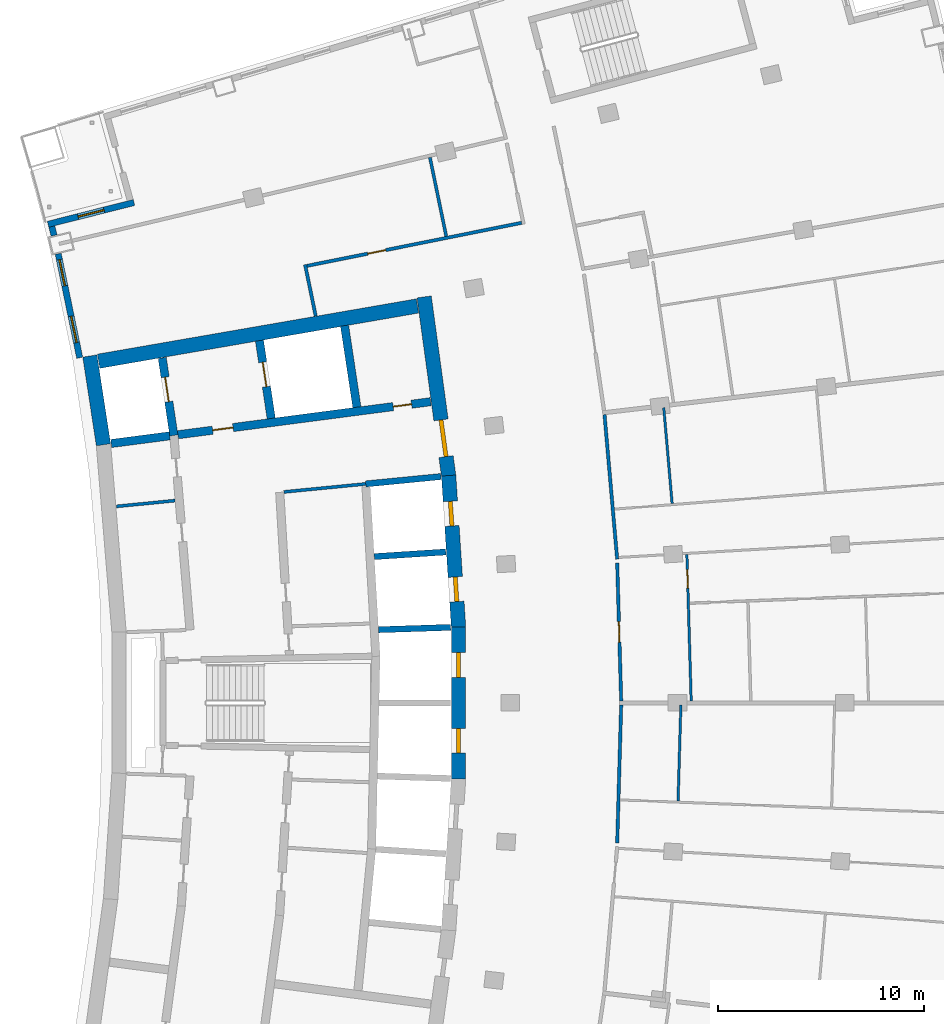
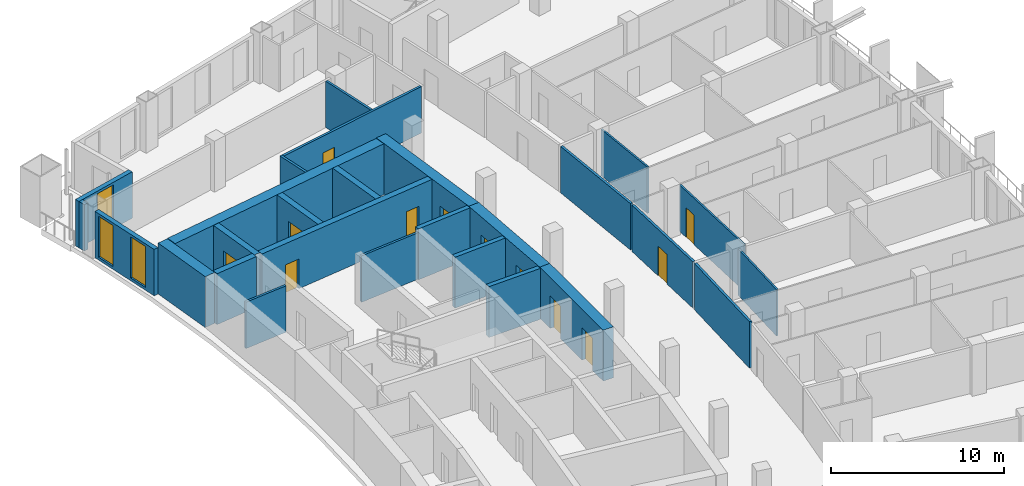
# One storey, part 14 of 20: 27 walls, 12 doors, 3 windows, 15 openings.
"""IFC4 building model written with IfcOpenShell, lengths in metres."""

from ifc_helpers import new_model, si_unit, direction, frame, frame_2d, origin, place, context, subcontext, project, spatial, rectangle, extrude, material, layer, layer_set, type_object, element, fill, save


model = new_model("IFC4")

# Units and contexts
model_context = context("Model", 3, precision=1e-05, world=origin(), true_north=direction((0.0, 1.0)))
body_context = subcontext(model_context, "Body", "Model", "MODEL_VIEW")
ifc_project = project(units=[si_unit("LENGTHUNIT", "METRE"), si_unit("AREAUNIT", "SQUARE_METRE"), si_unit("VOLUMEUNIT", "CUBIC_METRE"), si_unit("PLANEANGLEUNIT", "RADIAN"), si_unit("MASSUNIT", "GRAM", prefix="KILO")], contexts=[model_context])

# Site, building, storey
site_placement = place(None, origin())
site = spatial("IfcSite", under=ifc_project, at=site_placement, CompositionType="ELEMENT")
building_placement = place(site_placement, origin())
building = spatial("IfcBuilding", under=site, at=building_placement, Name="Alderwake Tower", CompositionType="ELEMENT")
storey_placement = place(building_placement, frame((0.0, 0.0, 142.39990234375)))
storey = spatial("IfcBuildingStorey", under=building, at=storey_placement, Name="L34", CompositionType="ELEMENT", Elevation=142.39990234375)

# Walls
ifc_material_1 = material(Name="Gypsum shaft wall system, rated")
ifc_layer_1 = layer(ifc_material_1, 0.14990234375)
ifc_layer_set_1 = layer_set([ifc_layer_1], Name="Core room partition 150")
wall_type_1 = type_object("IfcWallType", Name="Core room partition 150", PredefinedType="PARTITIONING", material=ifc_layer_set_1)
wall_1_placement = place(storey_placement, frame((24.799560546875, 71.2548828125, 0.0), z_axis=(0.0, 0.0, 1.0), x_axis=(0.995250000627, 0.097352125046, 0.0)))
element("IfcWall", 1, at=wall_1_placement, inside=storey, type_object=wall_type_1, Name="CW/L34/PR+102_+86", PredefinedType="PARTITIONING", context=body_context, shape_type="SweptSolid", body=[
    extrude(rectangle(XDim=4.0, YDim=0.14990234375, at=frame_2d((2.0, 0.0))), origin(), (0.0, 0.0, 1.0), 3.280029296875),
])
wall_2_placement = place(storey_placement, frame((16.662841796875, 70.552001953125, 0.0), z_axis=(0.0, 0.0, 1.0), x_axis=(0.995157883569, 0.098289301407, 0.0)))
element("IfcWall", 2, at=wall_2_placement, inside=storey, type_object=wall_type_1, Name="CW/L34/PR+103_+0", PredefinedType="PARTITIONING", context=body_context, shape_type="SweptSolid", body=[
    extrude(rectangle(XDim=2.866455078125, YDim=0.14990234375, at=frame_2d((1.43310546875, 0.0))), origin(), (0.0, 0.0, 1.0), 3.280029296875),
])
ifc_material_2 = material(Name="Concrete C70/85", Category="concrete")
ifc_layer_2 = layer(ifc_material_2, 0.699951171875)
ifc_layer_set_2 = layer_set([ifc_layer_2], Name="Core wall outer 700 C70-85")
wall_type_2 = type_object("IfcWallType", Name="Core wall outer 700 C70-85", PredefinedType="SHEAR", material=ifc_layer_set_2)
wall_3_placement = place(storey_placement, frame((16.033935546875, 73.547607421875, 0.0), z_axis=(0.0, 0.0, 1.0), x_axis=(-0.151897483467, 0.988396253795, 0.0)))
element("IfcWall", 3, at=wall_3_placement, inside=storey, type_object=wall_type_2, Name="Core wall CW.039", PredefinedType="SHEAR", context=body_context, shape_type="SweptSolid", body=[
    extrude(rectangle(XDim=4.365234375, YDim=0.699951171875, at=frame_2d((2.1826171875, 0.0))), origin(), (0.0, 0.0, 1.0), 3.60009765625),
])

# Wall, openings, doors
wall_4_placement = place(storey_placement, frame((33.2900390625, 57.30322265625, 0.0), z_axis=(0.0, 0.0, 1.0), x_axis=(0.0, 1.0, 0.0)))
wall_4 = element("IfcWall", 4, at=wall_4_placement, inside=storey, type_object=wall_type_2, Name="Core wall CW.013", PredefinedType="SHEAR", context=body_context, shape_type="SweptSolid", body=[
    extrude(rectangle(XDim=7.3935546875, YDim=0.699951171875, at=frame_2d((3.69677734375, 0.0))), origin(), (0.0, 0.0, 1.0), 3.60009765625),
])
opening_1_placement = place(wall_4_placement, frame((1.254150390625, 0.0, 0.0)))
opening_1 = element("IfcOpeningElement", 5, at=opening_1_placement, cuts=wall_4, Name="Opening LD-HP3", PredefinedType="OPENING", context=body_context, shape_type="SweptSolid", body=[
    extrude(rectangle(XDim=1.199951171875, YDim=2.300048828125, at=frame_2d((0.60009765625, 1.14990234375))), frame((0.0, 0.35986328125, 0.0), z_axis=(0.0, -1.0, 0.0), x_axis=(1.0, 0.0, 0.0)), (0.0, 0.0, 1.0), 0.719970703125),
])
opening_2_placement = place(wall_4_placement, frame((4.939208984375, 0.0, 0.0)))
opening_2 = element("IfcOpeningElement", 6, at=opening_2_placement, cuts=wall_4, Name="Opening LD-HP4", PredefinedType="OPENING", context=body_context, shape_type="SweptSolid", body=[
    extrude(rectangle(XDim=1.199951171875, YDim=2.300048828125, at=frame_2d((0.60009765625, 1.14990234375))), frame((0.0, 0.35986328125, 0.0), z_axis=(0.0, -1.0, 0.0), x_axis=(1.0, 0.0, 0.0)), (0.0, 0.0, 1.0), 0.719970703125),
])
ifc_material_3 = material(Name="Stainless steel sliding leaf", Category="steel")
door_type_1 = type_object("IfcDoorType", Name="Lift landing door 1200", OperationType="SLIDING_TO_LEFT", PredefinedType="DOOR", material=ifc_material_3)
door_1_placement = place(opening_1_placement, origin())
door_1 = element("IfcDoor", 7, at=door_1_placement, inside=storey, type_object=door_type_1, Name="Lift landing door HP3", OperationType="SLIDING_TO_LEFT", OverallHeight=2.300048828125, OverallWidth=1.199951171875, PredefinedType="DOOR", context=body_context, shape_type="SweptSolid", body=[
    extrude(rectangle(XDim=1.199951171875, YDim=2.300048828125, at=frame_2d((0.60009765625, 1.14990234375))), frame((0.0, 0.10009765625, 0.0), z_axis=(0.0, -1.0, 0.0), x_axis=(1.0, 0.0, 0.0)), (0.0, 0.0, 1.0), 0.199951171875),
])
fill(opening_1, door_1)
door_2_placement = place(opening_2_placement, origin())
door_2 = element("IfcDoor", 8, at=door_2_placement, inside=storey, type_object=door_type_1, Name="Lift landing door HP4", OperationType="SLIDING_TO_LEFT", OverallHeight=2.300048828125, OverallWidth=1.199951171875, PredefinedType="DOOR", context=body_context, shape_type="SweptSolid", body=[
    extrude(rectangle(XDim=1.199951171875, YDim=2.300048828125, at=frame_2d((0.60009765625, 1.14990234375))), frame((0.0, 0.10009765625, 0.0), z_axis=(0.0, -1.0, 0.0), x_axis=(1.0, 0.0, 0.0)), (0.0, 0.0, 1.0), 0.199951171875),
])
fill(opening_2, door_2)

wall_5_placement = place(storey_placement, frame((33.291015625, 64.6728515625, 0.0), z_axis=(0.0, 0.0, 1.0), x_axis=(-0.065009096017, 0.99788467141, 0.0)))
wall_5 = element("IfcWall", 9, at=wall_5_placement, inside=storey, type_object=wall_type_2, Name="Core wall CW.010", PredefinedType="SHEAR", context=body_context, shape_type="SweptSolid", body=[
    extrude(rectangle(XDim=7.39453125, YDim=0.699951171875, at=frame_2d((3.697265625, 0.0))), origin(), (0.0, 0.0, 1.0), 3.60009765625),
])
opening_3_placement = place(wall_5_placement, frame((1.25390625, 0.0, 0.0)))
opening_3 = element("IfcOpeningElement", 10, at=opening_3_placement, cuts=wall_5, Name="Opening LD-HP5", PredefinedType="OPENING", context=body_context, shape_type="SweptSolid", body=[
    extrude(rectangle(XDim=1.199951171875, YDim=2.300048828125, at=frame_2d((0.60009765625, 1.14990234375))), frame((0.0, 0.35986328125, 0.0), z_axis=(0.0, -1.0, 0.0), x_axis=(1.0, 0.0, 0.0)), (0.0, 0.0, 1.0), 0.719970703125),
])
opening_4_placement = place(wall_5_placement, frame((4.939208984375, 0.0, 0.0)))
opening_4 = element("IfcOpeningElement", 11, at=opening_4_placement, cuts=wall_5, Name="Opening LD-HP6", PredefinedType="OPENING", context=body_context, shape_type="SweptSolid", body=[
    extrude(rectangle(XDim=1.199951171875, YDim=2.300048828125, at=frame_2d((0.60009765625, 1.14990234375))), frame((0.0, 0.35986328125, 0.0), z_axis=(0.0, -1.0, 0.0), x_axis=(1.0, 0.0, 0.0)), (0.0, 0.0, 1.0), 0.719970703125),
])
door_3_placement = place(opening_3_placement, origin())
door_3 = element("IfcDoor", 12, at=door_3_placement, inside=storey, type_object=door_type_1, Name="Lift landing door HP5", OperationType="SLIDING_TO_LEFT", OverallHeight=2.300048828125, OverallWidth=1.199951171875, PredefinedType="DOOR", context=body_context, shape_type="SweptSolid", body=[
    extrude(rectangle(XDim=1.199951171875, YDim=2.300048828125, at=frame_2d((0.60009765625, 1.14990234375))), frame((0.0, 0.10009765625, 0.0), z_axis=(0.0, -1.0, 0.0), x_axis=(1.0, 0.0, 0.0)), (0.0, 0.0, 1.0), 0.199951171875),
])
fill(opening_3, door_3)
door_4_placement = place(opening_4_placement, origin())
door_4 = element("IfcDoor", 13, at=door_4_placement, inside=storey, type_object=door_type_1, Name="Lift landing door HP6", OperationType="SLIDING_TO_LEFT", OverallHeight=2.300048828125, OverallWidth=1.199951171875, PredefinedType="DOOR", context=body_context, shape_type="SweptSolid", body=[
    extrude(rectangle(XDim=1.199951171875, YDim=2.300048828125, at=frame_2d((0.60009765625, 1.14990234375))), frame((0.0, 0.10009765625, 0.0), z_axis=(0.0, -1.0, 0.0), x_axis=(1.0, 0.0, 0.0)), (0.0, 0.0, 1.0), 0.199951171875),
])
fill(opening_4, door_4)

# Wall, opening, door
wall_6_placement = place(storey_placement, frame((31.618896484375, 80.735107421875, 0.0), z_axis=(0.0, 0.0, 1.0), x_axis=(0.135835706655, -0.99073137671, 0.0)))
wall_6 = element("IfcWall", 14, at=wall_6_placement, inside=storey, type_object=wall_type_2, Name="Core wall CW.009", PredefinedType="SHEAR", context=body_context, shape_type="SweptSolid", body=[
    extrude(rectangle(XDim=8.790771484375, YDim=0.699951171875, at=frame_2d((4.3955078125, 0.0))), origin(), (0.0, 0.0, 1.0), 3.60009765625),
])
opening_5_placement = place(wall_6_placement, frame((6.035888671875, 0.0, 0.0)))
opening_5 = element("IfcOpeningElement", 15, at=opening_5_placement, cuts=wall_6, Name="Opening C001", PredefinedType="OPENING", context=body_context, shape_type="SweptSolid", body=[
    extrude(rectangle(XDim=1.800048828125, YDim=2.10009765625, at=frame_2d((0.89990234375, 1.050048828125))), frame((0.0, 0.35986328125, 0.0), z_axis=(0.0, -1.0, 0.0), x_axis=(1.0, 0.0, 0.0)), (0.0, 0.0, 1.0), 0.719970703125),
])
ifc_material_4 = material(Name="Steel-framed fire door leaves", Category="steel")
door_type_2 = type_object("IfcDoorType", Name="Core double door 1800 fire-rated", OperationType="DOUBLE_DOOR_SINGLE_SWING", PredefinedType="DOOR", material=ifc_material_4)
door_5_placement = place(opening_5_placement, origin())
door_5 = element("IfcDoor", 16, at=door_5_placement, inside=storey, type_object=door_type_2, Name="Lobby double door", OperationType="DOUBLE_DOOR_SINGLE_SWING", OverallHeight=2.10009765625, OverallWidth=1.800048828125, PredefinedType="DOOR", context=body_context, shape_type="SweptSolid", body=[
    extrude(rectangle(XDim=1.800048828125, YDim=2.10009765625, at=frame_2d((0.89990234375, 1.050048828125))), frame((0.0, 0.10009765625, 0.0), z_axis=(0.0, -1.0, 0.0), x_axis=(1.0, 0.0, 0.0)), (0.0, 0.0, 1.0), 0.199951171875),
])
fill(opening_5, door_5)

# Walls
wall_7_placement = place(storey_placement, frame((15.79443359375, 77.606689453125, 0.0), z_axis=(0.0, 0.0, 1.0), x_axis=(0.985301369349, 0.170825090542, 0.0)))
element("IfcWall", 17, at=wall_7_placement, inside=storey, type_object=wall_type_2, Name="Core wall CW.055", PredefinedType="SHEAR", context=body_context, shape_type="SweptSolid", body=[
    extrude(rectangle(XDim=15.732421875, YDim=0.699951171875, at=frame_2d((7.8662109375, 0.0))), origin(), (0.0, 0.0, 1.0), 3.60009765625),
])
ifc_material_5 = material(Name="Concrete C70/85", Category="concrete")
ifc_layer_3 = layer(ifc_material_5, 0.300048828125)
ifc_layer_set_3 = layer_set([ifc_layer_3], Name="Core wall shaft 300 C70-85")
wall_type_3 = type_object("IfcWallType", Name="Core wall shaft 300 C70-85", PredefinedType="SHEAR", material=ifc_layer_set_3)
wall_8_placement = place(storey_placement, frame((29.401611328125, 64.558349609375, 0.0), z_axis=(0.0, 0.0, 1.0), x_axis=(0.999472422829, 0.032478854739, 0.0)))
element("IfcWall", 18, at=wall_8_placement, inside=storey, type_object=wall_type_3, Name="Core wall CW.058", PredefinedType="SHEAR", context=body_context, shape_type="SweptSolid", body=[
    extrude(rectangle(XDim=3.510498046875, YDim=0.300048828125, at=frame_2d((1.75537109375, 0.0))), origin(), (0.0, 0.0, 1.0), 3.60009765625),
])
wall_9_placement = place(storey_placement, frame((29.193603515625, 68.110595703125, 0.0), z_axis=(0.0, 0.0, 1.0), x_axis=(0.997884751549, 0.065007865878, 0.0)))
element("IfcWall", 19, at=wall_9_placement, inside=storey, type_object=wall_type_3, Name="Core wall CW.061", PredefinedType="SHEAR", context=body_context, shape_type="SweptSolid", body=[
    extrude(rectangle(XDim=3.485107421875, YDim=0.300048828125, at=frame_2d((1.74267578125, 0.0))), origin(), (0.0, 0.0, 1.0), 3.60009765625),
])
wall_10_placement = place(storey_placement, frame((28.780517578125, 71.644287109375, 0.0), z_axis=(0.0, 0.0, 1.0), x_axis=(0.995245736737, 0.097395705788, 0.0)))
element("IfcWall", 20, at=wall_10_placement, inside=storey, type_object=wall_type_3, Name="Core wall CW.049", PredefinedType="SHEAR", context=body_context, shape_type="SweptSolid", body=[
    extrude(rectangle(XDim=3.669677734375, YDim=0.300048828125, at=frame_2d((1.8349609375, 0.0))), origin(), (0.0, 0.0, 1.0), 3.60009765625),
])

# Wall, opening, door
ifc_material_6 = material(Name="Concrete C70/85", Category="concrete")
ifc_layer_4 = layer(ifc_material_6, 0.39990234375)
ifc_layer_set_4 = layer_set([ifc_layer_4], Name="Core wall spine 400 C70-85")
wall_type_4 = type_object("IfcWallType", Name="Core wall spine 400 C70-85", PredefinedType="SHEAR", material=ifc_layer_set_4)
wall_11_placement = place(storey_placement, frame((19.4541015625, 74.000732421875, 0.0), z_axis=(0.0, 0.0, 1.0), x_axis=(-0.148540738889, 0.988906289236, 0.0)))
wall_11 = element("IfcWall", 21, at=wall_11_placement, inside=storey, type_object=wall_type_4, Name="Core wall CW.030", PredefinedType="SHEAR", context=body_context, shape_type="SweptSolid", body=[
    extrude(rectangle(XDim=3.814697265625, YDim=0.39990234375, at=frame_2d((1.9072265625, 0.0))), origin(), (0.0, 0.0, 1.0), 3.60009765625),
])
opening_6_placement = place(wall_11_placement, frame((1.660888671875, 0.0, 0.0)))
opening_6 = element("IfcOpeningElement", 22, at=opening_6_placement, cuts=wall_11, Name="Opening LD-FF1", PredefinedType="OPENING", context=body_context, shape_type="SweptSolid", body=[
    extrude(rectangle(XDim=1.199951171875, YDim=2.300048828125, at=frame_2d((0.60009765625, 1.14990234375))), frame((0.0, 0.2099609375, 0.0), z_axis=(0.0, -1.0, 0.0), x_axis=(1.0, 0.0, 0.0)), (0.0, 0.0, 1.0), 0.419921875),
])
door_6_placement = place(opening_6_placement, origin())
door_6 = element("IfcDoor", 23, at=door_6_placement, inside=storey, type_object=door_type_1, Name="Lift landing door FF1", OperationType="SLIDING_TO_LEFT", OverallHeight=2.300048828125, OverallWidth=1.199951171875, PredefinedType="DOOR", context=body_context, shape_type="SweptSolid", body=[
    extrude(rectangle(XDim=1.199951171875, YDim=2.300048828125, at=frame_2d((0.60009765625, 1.14990234375))), frame((0.0, 0.02490234375, 0.0), z_axis=(0.0, -1.0, 0.0), x_axis=(1.0, 0.0, 0.0)), (0.0, 0.0, 1.0), 0.050048828125),
])
fill(opening_6, door_6)

wall_12_placement = place(storey_placement, frame((24.186279296875, 74.82861328125, 0.0), z_axis=(0.0, 0.0, 1.0), x_axis=(-0.149604879253, 0.988745862243, 0.0)))
wall_12 = element("IfcWall", 24, at=wall_12_placement, inside=storey, type_object=wall_type_4, Name="Core wall CW.044", PredefinedType="SHEAR", context=body_context, shape_type="SweptSolid", body=[
    extrude(rectangle(XDim=3.823486328125, YDim=0.39990234375, at=frame_2d((1.91162109375, 0.0))), origin(), (0.0, 0.0, 1.0), 3.60009765625),
])
opening_7_placement = place(wall_12_placement, frame((1.561767578125, 0.0, 0.0)))
opening_7 = element("IfcOpeningElement", 25, at=opening_7_placement, cuts=wall_12, Name="Opening LD-FF2", PredefinedType="OPENING", context=body_context, shape_type="SweptSolid", body=[
    extrude(rectangle(XDim=1.199951171875, YDim=2.300048828125, at=frame_2d((0.60009765625, 1.14990234375))), frame((0.0, 0.2099609375, 0.0), z_axis=(0.0, -1.0, 0.0), x_axis=(1.0, 0.0, 0.0)), (0.0, 0.0, 1.0), 0.419921875),
])
door_7_placement = place(opening_7_placement, origin())
door_7 = element("IfcDoor", 26, at=door_7_placement, inside=storey, type_object=door_type_1, Name="Lift landing door FF2", OperationType="SLIDING_TO_LEFT", OverallHeight=2.300048828125, OverallWidth=1.199951171875, PredefinedType="DOOR", context=body_context, shape_type="SweptSolid", body=[
    extrude(rectangle(XDim=1.199951171875, YDim=2.300048828125, at=frame_2d((0.60009765625, 1.14990234375))), frame((0.0, 0.02490234375, 0.0), z_axis=(0.0, -1.0, 0.0), x_axis=(1.0, 0.0, 0.0)), (0.0, 0.0, 1.0), 0.050048828125),
])
fill(opening_7, door_7)

# Walls
wall_13_placement = place(storey_placement, frame((28.350830078125, 75.373291015625, 0.0), z_axis=(0.0, 0.0, 1.0), x_axis=(-0.149688214264, 0.988733249421, 0.0)))
element("IfcWall", 27, at=wall_13_placement, inside=storey, type_object=wall_type_4, Name="Core wall CW.001", PredefinedType="SHEAR", context=body_context, shape_type="SweptSolid", body=[
    extrude(rectangle(XDim=4.01220703125, YDim=0.39990234375, at=frame_2d((2.006103515625, 0.0))), origin(), (0.0, 0.0, 1.0), 3.60009765625),
])
wall_14_placement = place(storey_placement, frame((16.4091796875, 73.609619140625, 0.0), z_axis=(0.0, 0.0, 1.0), x_axis=(0.991557657486, 0.129666541102, 0.0)))
element("IfcWall", 28, at=wall_14_placement, inside=storey, type_object=wall_type_4, Name="Core wall CW.051", PredefinedType="SHEAR", context=body_context, shape_type="SweptSolid", body=[
    extrude(rectangle(XDim=2.869384765625, YDim=0.39990234375, at=frame_2d((1.4345703125, 0.0))), origin(), (0.0, 0.0, 1.0), 3.60009765625),
])

# Wall, openings, doors
wall_15_placement = place(storey_placement, frame((31.933837890625, 75.64013671875, 0.0), z_axis=(0.0, 0.0, 1.0), x_axis=(-0.991554628634, -0.129689700573, 0.0)))
wall_15 = element("IfcWall", 29, at=wall_15_placement, inside=storey, type_object=wall_type_4, Name="Core wall CW.052", PredefinedType="SHEAR", context=body_context, shape_type="SweptSolid", body=[
    extrude(rectangle(XDim=12.38671875, YDim=0.39990234375, at=frame_2d((6.193359375, 0.0))), origin(), (0.0, 0.0, 1.0), 3.60009765625),
])
opening_8_placement = place(wall_15_placement, frame((9.687255859375, 0.0, 0.0)))
opening_8 = element("IfcOpeningElement", 30, at=opening_8_placement, cuts=wall_15, Name="Opening C002", PredefinedType="OPENING", context=body_context, shape_type="SweptSolid", body=[
    extrude(rectangle(XDim=1.0, YDim=2.10009765625, at=frame_2d((0.5, 1.050048828125))), frame((0.0, 0.2099609375, 0.0), z_axis=(0.0, -1.0, 0.0), x_axis=(1.0, 0.0, 0.0)), (0.0, 0.0, 1.0), 0.419921875),
])
opening_9_placement = place(wall_15_placement, frame((0.937255859375, 0.0, 0.0)))
opening_9 = element("IfcOpeningElement", 31, at=opening_9_placement, cuts=wall_15, Name="Opening C020", PredefinedType="OPENING", context=body_context, shape_type="SweptSolid", body=[
    extrude(rectangle(XDim=0.89990234375, YDim=2.10009765625, at=frame_2d((0.449951171875, 1.050048828125))), frame((0.0, 0.2099609375, 0.0), z_axis=(0.0, -1.0, 0.0), x_axis=(1.0, 0.0, 0.0)), (0.0, 0.0, 1.0), 0.419921875),
])
ifc_material_7 = material(Name="Painted steel leaf", Category="steel")
door_type_3 = type_object("IfcDoorType", Name="Core room door 900", OperationType="SINGLE_SWING_LEFT", PredefinedType="DOOR", material=ifc_material_7)
door_8_placement = place(opening_9_placement, origin())
door_8 = element("IfcDoor", 32, at=door_8_placement, inside=storey, type_object=door_type_3, Name="Room door", OperationType="SINGLE_SWING_LEFT", OverallHeight=2.10009765625, OverallWidth=0.89990234375, PredefinedType="DOOR", context=body_context, shape_type="SweptSolid", body=[
    extrude(rectangle(XDim=0.89990234375, YDim=2.10009765625, at=frame_2d((0.449951171875, 1.050048828125))), frame((0.0, 0.02490234375, 0.0), z_axis=(0.0, -1.0, 0.0), x_axis=(1.0, 0.0, 0.0)), (0.0, 0.0, 1.0), 0.050048828125),
])
fill(opening_9, door_8)
ifc_material_8 = material(Name="Steel-framed fire door leaf", Category="steel")
door_type_4 = type_object("IfcDoorType", Name="Firefighting lobby door 1000 fire-rated", OperationType="SINGLE_SWING_LEFT", PredefinedType="DOOR", material=ifc_material_8)
door_9_placement = place(opening_8_placement, origin())
door_9 = element("IfcDoor", 33, at=door_9_placement, inside=storey, type_object=door_type_4, Name="Firefighting lobby door", OperationType="SINGLE_SWING_RIGHT", OverallHeight=2.10009765625, OverallWidth=1.0, PredefinedType="DOOR", context=body_context, shape_type="SweptSolid", body=[
    extrude(rectangle(XDim=1.0, YDim=2.10009765625, at=frame_2d((0.5, 1.050048828125))), frame((0.0, 0.02490234375, 0.0), z_axis=(0.0, -1.0, 0.0), x_axis=(1.0, 0.0, 0.0)), (0.0, 0.0, 1.0), 0.050048828125),
])
fill(opening_8, door_9)

# Wall
ifc_material_9 = material(Name="Gypsum board on metal studs, rated")
ifc_layer_5 = layer(ifc_material_9, 0.159912109375)
ifc_layer_set_5 = layer_set([ifc_layer_5], Name="Corridor wall 160")
wall_type_5 = type_object("IfcWallType", Name="Corridor wall 160", PredefinedType="PARTITIONING", material=ifc_layer_set_5)
wall_16_placement = place(storey_placement, frame((25.831787109375, 82.305419921875, 0.0), z_axis=(0.0, 0.0, 1.0), x_axis=(0.202450797205, -0.979292435747, 0.0)))
element("IfcWall", 34, at=wall_16_placement, inside=storey, type_object=wall_type_5, Name="WL/L34/W14", PredefinedType="PARTITIONING", context=body_context, shape_type="SweptSolid", body=[
    extrude(rectangle(XDim=2.555419921875, YDim=0.159912109375, at=frame_2d((1.27783203125, 0.0))), origin(), (0.0, 0.0, 1.0), 3.280029296875),
])

# Wall, opening, door
wall_17_placement = place(storey_placement, frame((25.926513671875, 82.24267578125, 0.0), z_axis=(0.0, 0.0, 1.0), x_axis=(0.98046310274, 0.196703086316, 0.0)))
wall_17 = element("IfcWall", 35, at=wall_17_placement, inside=storey, type_object=wall_type_5, Name="WL/L34/W20", PredefinedType="PARTITIONING", context=body_context, shape_type="SweptSolid", body=[
    extrude(rectangle(XDim=10.637939453125, YDim=0.159912109375, at=frame_2d((5.31884765625, 0.0))), origin(), (0.0, 0.0, 1.0), 3.280029296875),
])
opening_10_placement = place(wall_17_placement, frame((3.009033203125, 0.0, 0.0)))
opening_10 = element("IfcOpeningElement", 36, at=opening_10_placement, cuts=wall_17, Name="Opening R09-SBN1", PredefinedType="OPENING", context=body_context, shape_type="SweptSolid", body=[
    extrude(rectangle(XDim=0.89990234375, YDim=2.10009765625, at=frame_2d((0.449951171875, 1.050048828125))), frame((0.0, 0.08984375, 0.0), z_axis=(0.0, -1.0, 0.0), x_axis=(1.0, 0.0, 0.0)), (0.0, 0.0, 1.0), 0.179931640625),
])
ifc_material_10 = material(Name="Painted timber leaf", Category="wood")
door_type_5 = type_object("IfcDoorType", Name="Room door 900", OperationType="SINGLE_SWING_LEFT", PredefinedType="DOOR", material=ifc_material_10)
door_10_placement = place(opening_10_placement, origin())
door_10 = element("IfcDoor", 37, at=door_10_placement, inside=storey, type_object=door_type_5, Name="DR/L34/SBN1", OperationType="SINGLE_SWING_LEFT", OverallHeight=2.10009765625, OverallWidth=0.89990234375, PredefinedType="DOOR", context=body_context, shape_type="SweptSolid", body=[
    extrude(rectangle(XDim=0.89990234375, YDim=2.10009765625, at=frame_2d((0.449951171875, 1.050048828125))), frame((0.0, 0.02490234375, 0.0), z_axis=(0.0, -1.0, 0.0), x_axis=(1.0, 0.0, 0.0)), (0.0, 0.0, 1.0), 0.050048828125),
])
fill(opening_10, door_10)

# Walls
wall_18_placement = place(storey_placement, frame((41.002685546875, 54.20068359375, 0.0), z_axis=(0.0, 0.0, 1.0), x_axis=(0.028855161601, 0.999583603131, 0.0)))
element("IfcWall", 38, at=wall_18_placement, inside=storey, type_object=wall_type_5, Name="WL/L34/W26", PredefinedType="PARTITIONING", context=body_context, shape_type="SweptSolid", body=[
    extrude(rectangle(XDim=6.700927734375, YDim=0.159912109375, at=frame_2d((3.3505859375, 0.0))), origin(), (0.0, 0.0, 1.0), 3.280029296875),
])
wall_19_placement = place(storey_placement, frame((41.001953125, 67.9873046875, 0.0), z_axis=(0.0, 0.0, 1.0), x_axis=(-0.087430787456, 0.996170596537, 0.0)))
element("IfcWall", 39, at=wall_19_placement, inside=storey, type_object=wall_type_5, Name="WL/L34/W27", PredefinedType="PARTITIONING", context=body_context, shape_type="SweptSolid", body=[
    extrude(rectangle(XDim=7.048095703125, YDim=0.159912109375, at=frame_2d((3.52392578125, 0.0))), origin(), (0.0, 0.0, 1.0), 3.280029296875),
])

# Wall, opening, door
wall_20_placement = place(storey_placement, frame((41.002685546875, 67.80029296875, 0.0), z_axis=(0.0, 0.0, 1.0), x_axis=(0.0288425569, -0.999583966914, 0.0)))
wall_20 = element("IfcWall", 40, at=wall_20_placement, inside=storey, type_object=wall_type_5, Name="WL/L34/W28", PredefinedType="PARTITIONING", context=body_context, shape_type="SweptSolid", body=[
    extrude(rectangle(XDim=6.703857421875, YDim=0.159912109375, at=frame_2d((3.35205078125, 0.0))), origin(), (0.0, 0.0, 1.0), 3.280029296875),
])
opening_11_placement = place(wall_20_placement, frame((2.85205078125, 0.0, 0.0)))
opening_11 = element("IfcOpeningElement", 41, at=opening_11_placement, cuts=wall_20, Name="Opening R09-U06.2", PredefinedType="OPENING", context=body_context, shape_type="SweptSolid", body=[
    extrude(rectangle(XDim=1.0, YDim=2.10009765625, at=frame_2d((0.5, 1.050048828125))), frame((0.0, 0.08984375, 0.0), z_axis=(0.0, -1.0, 0.0), x_axis=(1.0, 0.0, 0.0)), (0.0, 0.0, 1.0), 0.179931640625),
])
ifc_material_11 = material(Name="Solid timber leaf in steel frame", Category="steel")
door_type_6 = type_object("IfcDoorType", Name="Flat entrance door 1000 fire-rated", OperationType="SINGLE_SWING_LEFT", PredefinedType="DOOR", material=ifc_material_11)
door_11_placement = place(opening_11_placement, origin())
door_11 = element("IfcDoor", 42, at=door_11_placement, inside=storey, type_object=door_type_6, Name="DR/L34/U06.2", OperationType="SINGLE_SWING_LEFT", OverallHeight=2.10009765625, OverallWidth=1.0, PredefinedType="DOOR", context=body_context, shape_type="SweptSolid", body=[
    extrude(rectangle(XDim=1.0, YDim=2.10009765625, at=frame_2d((0.5, 1.050048828125))), frame((0.0, 0.02490234375, 0.0), z_axis=(0.0, -1.0, 0.0), x_axis=(1.0, 0.0, 0.0)), (0.0, 0.0, 1.0), 0.050048828125),
])
fill(opening_11, door_11)

# Wall
ifc_material_12 = material(Name="Precast concrete C50/60 spandrel panel", Category="concrete")
ifc_layer_6 = layer(ifc_material_12, 0.300048828125)
ifc_layer_set_6 = layer_set([ifc_layer_6], Name="External wall EW1 Precast concrete C50/60 spandrel")
wall_type_6 = type_object("IfcWallType", Name="External wall EW1 Precast concrete C50/60 spandrel", PredefinedType="SOLIDWALL", material=ifc_layer_set_6)
wall_21_placement = place(storey_placement, frame((13.523193359375, 84.1572265625, 0.0), z_axis=(0.0, 0.0, 1.0), x_axis=(0.238729806706, -0.97108603089, 0.0)))
element("IfcWall", 43, at=wall_21_placement, inside=storey, type_object=wall_type_6, Name="External wall 30", PredefinedType="SOLIDWALL", context=body_context, shape_type="SweptSolid", body=[
    extrude(rectangle(XDim=0.453125, YDim=0.300048828125, at=frame_2d((0.2265625, 0.0))), origin(), (0.0, 0.0, 1.0), 3.280029296875),
])

# Wall, openings, windows
wall_22_placement = place(storey_placement, frame((13.83203125, 82.8291015625, 0.0), z_axis=(0.0, 0.0, 1.0), x_axis=(0.202754243564, -0.979229654737, 0.0)))
wall_22 = element("IfcWall", 44, at=wall_22_placement, inside=storey, type_object=wall_type_6, Name="External wall 31", PredefinedType="SOLIDWALL", context=body_context, shape_type="SweptSolid", body=[
    extrude(rectangle(XDim=5.15966796875, YDim=0.300048828125, at=frame_2d((2.579833984375, 0.0))), origin(), (0.0, 0.0, 1.0), 3.280029296875),
])
opening_12_placement = place(wall_22_placement, frame((0.29052734375, 0.0, 0.199951171875)))
opening_12 = element("IfcOpeningElement", 45, at=opening_12_placement, cuts=wall_22, Name="Opening W1", PredefinedType="OPENING", context=body_context, shape_type="SweptSolid", body=[
    extrude(rectangle(XDim=1.300048828125, YDim=2.89990234375, at=frame_2d((0.64990234375, 1.449951171875))), frame((0.0, 0.159912109375, 0.0), z_axis=(0.0, -1.0, 0.0), x_axis=(1.0, 0.0, 0.0)), (0.0, 0.0, 1.0), 0.320068359375),
])
opening_13_placement = place(wall_22_placement, frame((3.103271484375, 0.0, 0.199951171875)))
opening_13 = element("IfcOpeningElement", 46, at=opening_13_placement, cuts=wall_22, Name="Opening W1", PredefinedType="OPENING", context=body_context, shape_type="SweptSolid", body=[
    extrude(rectangle(XDim=1.300048828125, YDim=2.89990234375, at=frame_2d((0.64990234375, 1.449951171875))), frame((0.0, 0.159912109375, 0.0), z_axis=(0.0, -1.0, 0.0), x_axis=(1.0, 0.0, 0.0)), (0.0, 0.0, 1.0), 0.320068359375),
])
ifc_material_13 = material(Name="Bronze tinted glass in aluminium frame", Category="aluminium")
window_type = type_object("IfcWindowType", Name="Window W1 tall fixed and vent", PartitioningType="DOUBLE_PANEL_VERTICAL", PredefinedType="WINDOW", material=ifc_material_13)
window_1_placement = place(opening_12_placement, origin())
window_1 = element("IfcWindow", 47, at=window_1_placement, inside=storey, type_object=window_type, Name="Window W1 tall fixed and vent", OverallHeight=2.89990234375, OverallWidth=1.300048828125, PartitioningType="DOUBLE_PANEL_VERTICAL", PredefinedType="WINDOW", context=body_context, shape_type="SweptSolid", body=[
    extrude(rectangle(XDim=1.300048828125, YDim=2.89990234375, at=frame_2d((0.64990234375, 1.449951171875))), frame((0.0, 0.030029296875, 0.0), z_axis=(0.0, -1.0, 0.0), x_axis=(1.0, 0.0, 0.0)), (0.0, 0.0, 1.0), 0.06005859375),
])
fill(opening_12, window_1)
window_2_placement = place(opening_13_placement, origin())
window_2 = element("IfcWindow", 48, at=window_2_placement, inside=storey, type_object=window_type, Name="Window W1 tall fixed and vent", OverallHeight=2.89990234375, OverallWidth=1.300048828125, PartitioningType="DOUBLE_PANEL_VERTICAL", PredefinedType="WINDOW", context=body_context, shape_type="SweptSolid", body=[
    extrude(rectangle(XDim=1.300048828125, YDim=2.89990234375, at=frame_2d((0.64990234375, 1.449951171875))), frame((0.0, 0.030029296875, 0.0), z_axis=(0.0, -1.0, 0.0), x_axis=(1.0, 0.0, 0.0)), (0.0, 0.0, 1.0), 0.06005859375),
])
fill(opening_13, window_2)

# Wall, opening, window
ifc_material_14 = material(Name="Bronze metal cladding on lightweight framing")
ifc_layer_7 = layer(ifc_material_14, 0.300048828125)
ifc_layer_set_7 = layer_set([ifc_layer_7], Name="External wall EW2 bronze metal cladding")
wall_type_7 = type_object("IfcWallType", Name="External wall EW2 bronze metal cladding", PredefinedType="SOLIDWALL", material=ifc_layer_set_7)
wall_23_placement = place(storey_placement, frame((17.51611328125, 85.32275390625, 0.0), z_axis=(0.0, 0.0, 1.0), x_axis=(-0.969417740682, -0.245416470617, 0.0)))
wall_23 = element("IfcWall", 49, at=wall_23_placement, inside=storey, type_object=wall_type_7, Name="External wall 29", PredefinedType="SOLIDWALL", context=body_context, shape_type="SweptSolid", body=[
    extrude(rectangle(XDim=4.305419921875, YDim=0.300048828125, at=frame_2d((2.15283203125, 0.0))), origin(), (0.0, 0.0, 1.0), 3.280029296875),
])
opening_14_placement = place(wall_23_placement, frame((1.502685546875, 0.0, 0.199951171875)))
opening_14 = element("IfcOpeningElement", 50, at=opening_14_placement, cuts=wall_23, Name="Opening W1", PredefinedType="OPENING", context=body_context, shape_type="SweptSolid", body=[
    extrude(rectangle(XDim=1.300048828125, YDim=2.89990234375, at=frame_2d((0.64990234375, 1.449951171875))), frame((0.0, 0.159912109375, 0.0), z_axis=(0.0, -1.0, 0.0), x_axis=(1.0, 0.0, 0.0)), (0.0, 0.0, 1.0), 0.320068359375),
])
window_3_placement = place(opening_14_placement, origin())
window_3 = element("IfcWindow", 51, at=window_3_placement, inside=storey, type_object=window_type, Name="Window W1 tall fixed and vent", OverallHeight=2.89990234375, OverallWidth=1.300048828125, PartitioningType="DOUBLE_PANEL_VERTICAL", PredefinedType="WINDOW", context=body_context, shape_type="SweptSolid", body=[
    extrude(rectangle(XDim=1.300048828125, YDim=2.89990234375, at=frame_2d((0.64990234375, 1.449951171875))), frame((0.0, 0.030029296875, 0.0), z_axis=(0.0, -1.0, 0.0), x_axis=(1.0, 0.0, 0.0)), (0.0, 0.0, 1.0), 0.06005859375),
])
fill(opening_14, window_3)

# Walls
ifc_material_15 = material(Name="Gypsum shaft wall system, rated")
ifc_layer_8 = layer(ifc_material_15, 0.14990234375)
ifc_layer_set_8 = layer_set([ifc_layer_8], Name="Riser and shaft wall 150")
wall_type_8 = type_object("IfcWallType", Name="Riser and shaft wall 150", PredefinedType="PARTITIONING", material=ifc_layer_set_8)
wall_24_placement = place(storey_placement, frame((32.69287109375, 83.682373046875, 0.0), z_axis=(0.0, 0.0, 1.0), x_axis=(-0.20266545775, 0.979248034073, 0.0)))
element("IfcWall", 52, at=wall_24_placement, inside=storey, type_object=wall_type_8, Name="WL/L34/W08", PredefinedType="PARTITIONING", context=body_context, shape_type="SweptSolid", body=[
    extrude(rectangle(XDim=3.911376953125, YDim=0.14990234375, at=frame_2d((1.95556640625, 0.0))), origin(), (0.0, 0.0, 1.0), 3.280029296875),
])
ifc_material_16 = material(Name="Moisture resistant gypsum board on metal studs")
ifc_layer_9 = layer(ifc_material_16, 0.1201171875)
ifc_layer_set_9 = layer_set([ifc_layer_9], Name="Wet room partition 120")
wall_type_9 = type_object("IfcWallType", Name="Wet room partition 120", PredefinedType="PARTITIONING", material=ifc_layer_set_9)
wall_25_placement = place(storey_placement, frame((43.672607421875, 70.687744140625, 0.0), z_axis=(0.0, 0.0, 1.0), x_axis=(-0.087010256841, 0.996207415755, 0.0)))
element("IfcWall", 53, at=wall_25_placement, inside=storey, type_object=wall_type_9, Name="WL/L34/W40", PredefinedType="PARTITIONING", context=body_context, shape_type="SweptSolid", body=[
    extrude(rectangle(XDim=4.677490234375, YDim=0.1201171875, at=frame_2d((2.3388671875, 0.0))), origin(), (0.0, 0.0, 1.0), 3.280029296875),
])
wall_26_placement = place(storey_placement, frame((43.96044921875, 56.22802734375, 0.0), z_axis=(0.0, 0.0, 1.0), x_axis=(0.029257801765, 0.999571898883, 0.0)))
element("IfcWall", 54, at=wall_26_placement, inside=storey, type_object=wall_type_9, Name="WL/L34/W41", PredefinedType="PARTITIONING", context=body_context, shape_type="SweptSolid", body=[
    extrude(rectangle(XDim=4.6728515625, YDim=0.1201171875, at=frame_2d((2.33642578125, 0.0))), origin(), (0.0, 0.0, 1.0), 3.280029296875),
])

# Wall, opening, door
wall_27_placement = place(storey_placement, frame((44.389404296875, 68.215087890625, 0.0), z_axis=(0.0, 0.0, 1.0), x_axis=(0.029321452598, -0.999570033773, 0.0)))
wall_27 = element("IfcWall", 55, at=wall_27_placement, inside=storey, type_object=wall_type_9, Name="WL/L34/W42", PredefinedType="PARTITIONING", context=body_context, shape_type="SweptSolid", body=[
    extrude(rectangle(XDim=7.119140625, YDim=0.1201171875, at=frame_2d((3.5595703125, 0.0))), origin(), (0.0, 0.0, 1.0), 3.280029296875),
])
opening_15_placement = place(wall_27_placement, frame((0.736572265625, 0.0, 0.0)))
opening_15 = element("IfcOpeningElement", 56, at=opening_15_placement, cuts=wall_27, Name="Opening R09-U06.3", PredefinedType="OPENING", context=body_context, shape_type="SweptSolid", body=[
    extrude(rectangle(XDim=0.89990234375, YDim=2.10009765625, at=frame_2d((0.449951171875, 1.050048828125))), frame((0.0, 0.070068359375, 0.0), z_axis=(0.0, -1.0, 0.0), x_axis=(1.0, 0.0, 0.0)), (0.0, 0.0, 1.0), 0.14013671875),
])
door_12_placement = place(opening_15_placement, origin())
door_12 = element("IfcDoor", 57, at=door_12_placement, inside=storey, type_object=door_type_5, Name="DR/L34/U06.3", OperationType="SINGLE_SWING_LEFT", OverallHeight=2.10009765625, OverallWidth=0.89990234375, PredefinedType="DOOR", context=body_context, shape_type="SweptSolid", body=[
    extrude(rectangle(XDim=0.89990234375, YDim=2.10009765625, at=frame_2d((0.449951171875, 1.050048828125))), frame((0.0, 0.02490234375, 0.0), z_axis=(0.0, -1.0, 0.0), x_axis=(1.0, 0.0, 0.0)), (0.0, 0.0, 1.0), 0.050048828125),
])
fill(opening_15, door_12)

save(model, "model.ifc")
